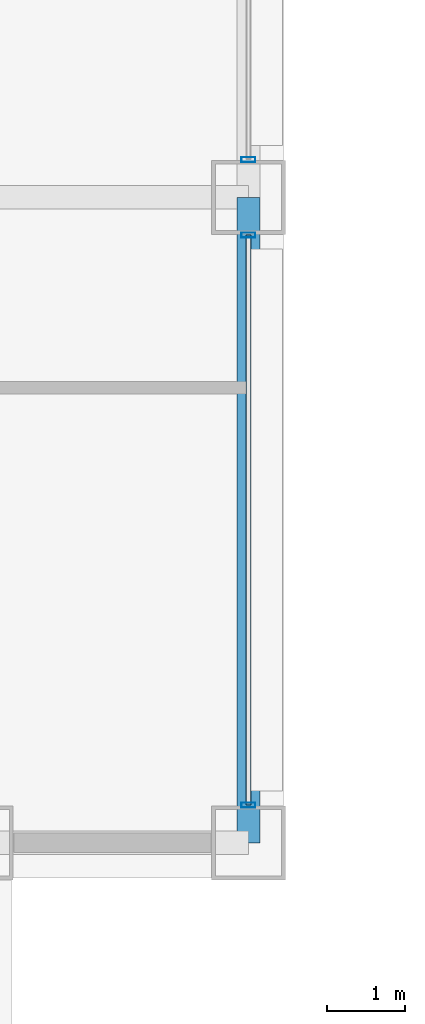
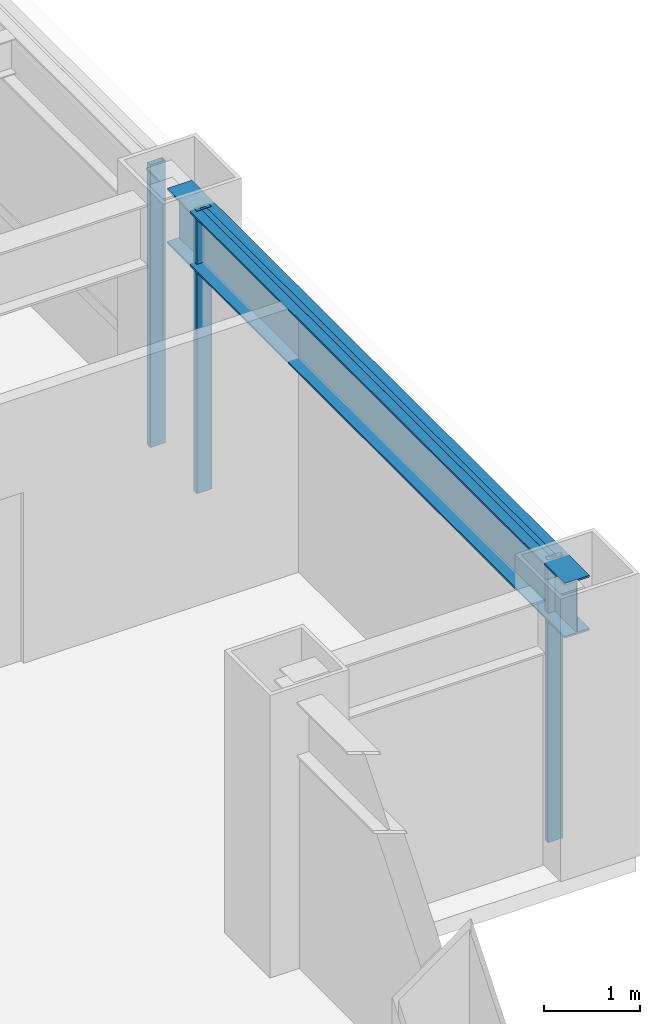
# One storey, part 12 of 31: 4 members, 1 beam, 2 elements without a shape of their own.
"""IFC4 building model written with IfcOpenShell, lengths in metres."""

from ifc_helpers import new_model, si_unit, direction, frame, origin, origin_2d, place, context, subcontext, project, spatial, hollow_rectangle, i_section, extrude, material, layer, layer_set, material_profile, profile_set, type_object, element, aggregate, save


model = new_model("IFC4")

# Units and contexts
model_context = context("Model", 3, precision=1e-05, world=origin(), true_north=direction((0.0, 1.0)))
body_context = subcontext(model_context, "Body", "Model", "MODEL_VIEW")
ifc_project = project(units=[si_unit("LENGTHUNIT", "METRE"), si_unit("AREAUNIT", "SQUARE_METRE"), si_unit("VOLUMEUNIT", "CUBIC_METRE"), si_unit("PLANEANGLEUNIT", "RADIAN"), si_unit("MASSUNIT", "GRAM", prefix="KILO")], contexts=[model_context])

# Site, building, storey
site_placement = place(None, origin())
site = spatial("IfcSite", under=ifc_project, at=site_placement, CompositionType="ELEMENT")
building_placement = place(site_placement, origin())
building = spatial("IfcBuilding", under=site, at=building_placement, Name="Brelmoor Portico Tower", CompositionType="ELEMENT")
storey_placement = place(building_placement, frame((0.0, 0.0, 31.199951171875)))
storey = spatial("IfcBuildingStorey", under=building, at=storey_placement, Name="L07", CompositionType="ELEMENT", Elevation=31.199951171875)

# Beam
ifc_material_1 = material(Name="Steel Q355B", Category="steel")
ifc_material_profile_1 = material_profile(ifc_material_1, i_section(OverallWidth=0.300048828125, OverallDepth=0.699951171875, WebThickness=0.012939453125, FlangeThickness=0.02392578125, at=origin_2d()), Name="HN 700x300x13x24")
ifc_profile_set_1 = profile_set([ifc_material_profile_1], Name="Steel Q355B")
beam_type = type_object("IfcBeamType", Name="BM-SP-700", PredefinedType="SPANDREL", material=ifc_profile_set_1)
beam_placement = place(storey_placement, frame((24.550048828125, -18.050048828125, 3.050048828125), z_axis=(0.0, 1.0, 0.0), x_axis=(-1.0, 0.0, 0.0)))
element("IfcBeam", 1, at=beam_placement, inside=storey, type_object=beam_type, Name="L07 Perimeter Spandrel Beam SP-22", PredefinedType="SPANDREL", context=body_context, shape_type="SweptSolid", body=[
    extrude(i_section(OverallWidth=0.300048828125, OverallDepth=0.699951171875, WebThickness=0.012939453125, FlangeThickness=0.02392578125, at=origin_2d()), origin(), (0.0, 0.0, 1.0), 8.300048828125),
])

# Curtain wall, members
ifc_material_2 = material(Name="Anodised Aluminium Alloy 6063-T6", Category="aluminium")
ifc_layer_1 = layer(ifc_material_2, 0.179931640625)
ifc_layer_set_1 = layer_set([ifc_layer_1], Name="Anodised Aluminium Alloy 6063-T6")
curtain_wall_type_1 = type_object("IfcCurtainWallType", Name="CW-TOWER-Z1-XB", PredefinedType="NOTDEFINED", material=ifc_layer_set_1)
curtain_wall_1_placement = place(storey_placement, origin())
curtain_wall_1 = element("IfcCurtainWall", 2, at=curtain_wall_1_placement, inside=storey, type_object=curtain_wall_type_1, Name="L07 Curtain Wall CW-L07-4L-1", PredefinedType="NOTDEFINED")
ifc_material_profile_2 = material_profile(ifc_material_2, hollow_rectangle(XDim=0.06494140625, YDim=0.179931640625, WallThickness=0.00390625, at=origin_2d()), Name="ALU MULLION 65x180")
ifc_profile_set_2 = profile_set([ifc_material_profile_2], Name="Anodised Aluminium Alloy 6063-T6")
member_type_1 = type_object("IfcMemberType", Name="MB-CW-MULL-180", PredefinedType="MULLION", material=ifc_profile_set_2)
member_1_placement = place(storey_placement, frame((24.550048828125, -17.56494140625, -0.199951171875), z_axis=(0.0, 0.0, 1.0), x_axis=(0.0, 1.0, 0.0)))
member_1 = element("IfcMember", 3, at=member_1_placement, type_object=member_type_1, Name="CW-L07-4L-1 Mullion 00", PredefinedType="MULLION", context=body_context, shape_type="SweptSolid", body=[
    extrude(hollow_rectangle(XDim=0.06494140625, YDim=0.179931640625, WallThickness=0.00390625, at=origin_2d()), origin(), (0.0, 0.0, 1.0), 3.60009765625),
])
member_2_placement = place(storey_placement, frame((24.550048828125, -10.235107421875, -0.199951171875), z_axis=(0.0, 0.0, 1.0), x_axis=(0.0, 1.0, 0.0)))
member_2 = element("IfcMember", 4, at=member_2_placement, type_object=member_type_1, Name="CW-L07-4L-1 Mullion 01", PredefinedType="MULLION", context=body_context, shape_type="SweptSolid", body=[
    extrude(hollow_rectangle(XDim=0.06494140625, YDim=0.179931640625, WallThickness=0.00390625, at=origin_2d()), origin(), (0.0, 0.0, 1.0), 3.60009765625),
])

# Curtain wall, member
ifc_layer_2 = layer(ifc_material_2, 0.179931640625)
ifc_layer_set_2 = layer_set([ifc_layer_2], Name="Anodised Aluminium Alloy 6063-T6")
curtain_wall_type_2 = type_object("IfcCurtainWallType", Name="CW-TOWER-Z1", PredefinedType="NOTDEFINED", material=ifc_layer_set_2)
curtain_wall_2_placement = place(storey_placement, origin())
curtain_wall_2 = element("IfcCurtainWall", 5, at=curtain_wall_2_placement, inside=storey, type_object=curtain_wall_type_2, Name="L07 Curtain Wall CW-L07-4L-2", PredefinedType="NOTDEFINED")
member_3_placement = place(storey_placement, frame((24.550048828125, -9.264892578125, -0.199951171875), z_axis=(0.0, 0.0, 1.0), x_axis=(0.0, 1.0, 0.0)))
member_3 = element("IfcMember", 6, at=member_3_placement, type_object=member_type_1, Name="CW-L07-4L-2 Mullion 00", PredefinedType="MULLION", context=body_context, shape_type="SweptSolid", body=[
    extrude(hollow_rectangle(XDim=0.06494140625, YDim=0.179931640625, WallThickness=0.00390625, at=origin_2d()), origin(), (0.0, 0.0, 1.0), 3.60009765625),
])
aggregate(curtain_wall_2, [member_3])

# Member
ifc_material_profile_3 = material_profile(ifc_material_2, hollow_rectangle(XDim=0.06494140625, YDim=0.139892578125, WallThickness=0.00390625, at=origin_2d()), Name="ALU TRANSOM 65x140")
ifc_profile_set_3 = profile_set([ifc_material_profile_3], Name="Anodised Aluminium Alloy 6063-T6")
member_type_2 = type_object("IfcMemberType", Name="MB-CW-TRAN-140", PredefinedType="USERDEFINED", material=ifc_profile_set_3)
member_4_placement = place(storey_placement, frame((24.550048828125, -17.56494140625, 3.330078125), z_axis=(0.0, 1.0, 0.0), x_axis=(-1.0, 0.0, 0.0)))
member_4 = element("IfcMember", 7, at=member_4_placement, type_object=member_type_2, Name="CW-L07-4L-1 Transom 1-00", ObjectType="TRANSOM", PredefinedType="USERDEFINED", context=body_context, shape_type="SweptSolid", body=[
    extrude(hollow_rectangle(XDim=0.06494140625, YDim=0.139892578125, WallThickness=0.00390625, at=origin_2d()), origin(), (0.0, 0.0, 1.0), 7.329833984375),
])

aggregate(curtain_wall_1, [member_1, member_2, member_4])

save(model, "model.ifc")
